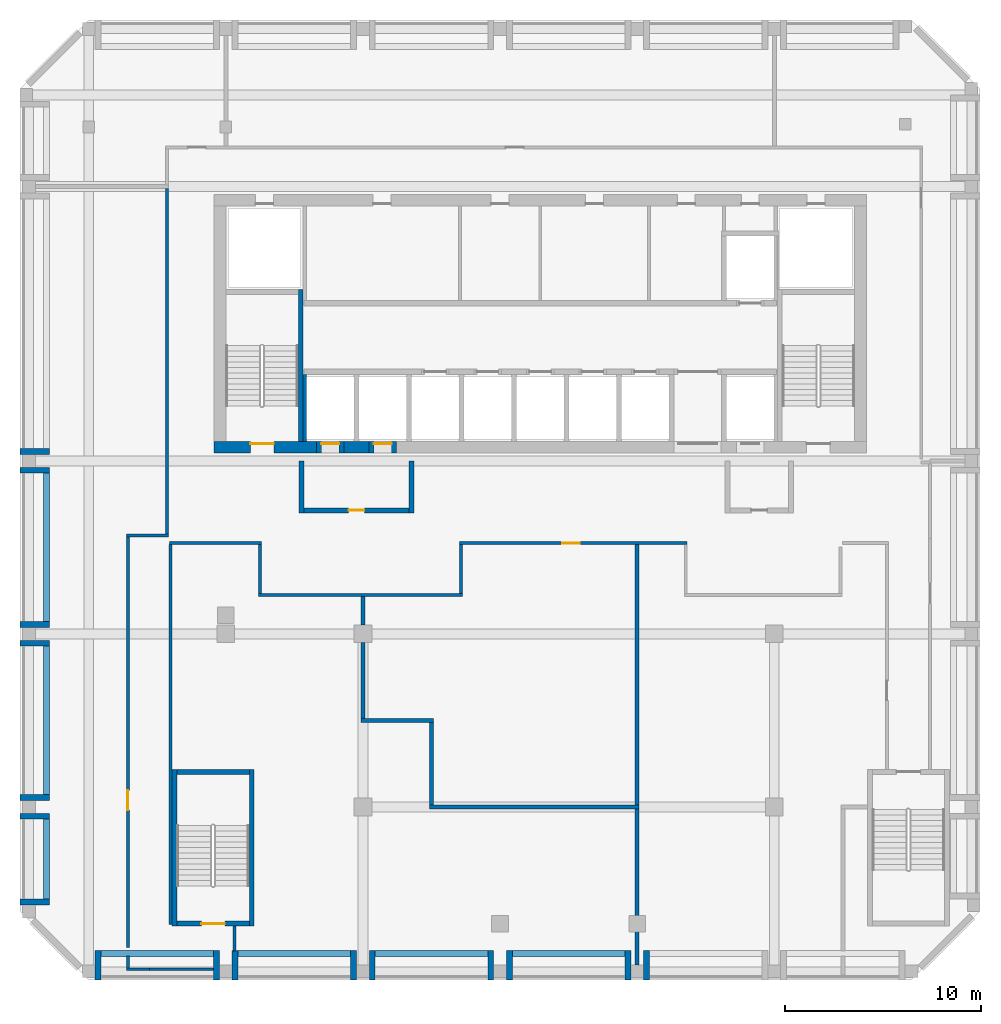
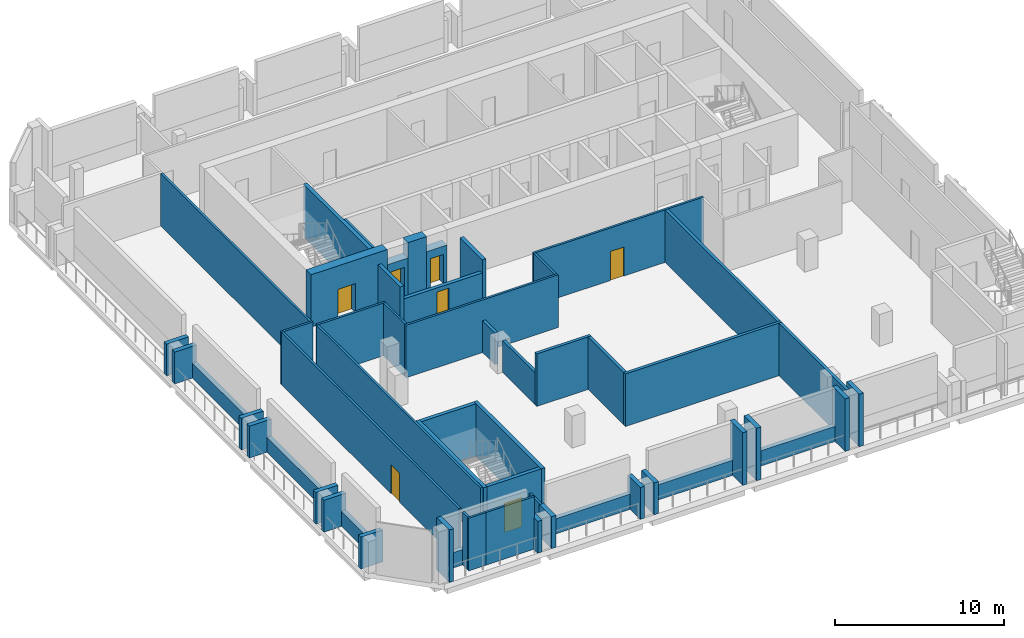
# One storey, part 2 of 7: 56 walls, 7 doors, 7 openings.
"""IFC4 building model written with IfcOpenShell, lengths in metres."""

from ifc_helpers import new_model, si_unit, direction, frame, frame_2d, origin, place, context, subcontext, project, spatial, rectangle, extrude, source, transform, mapped, material, layer, layer_set, type_object, element, fill, save


model = new_model("IFC4")

# Units and contexts
model_context = context("Model", 3, precision=1e-05, world=origin(), true_north=direction((0.0, 1.0)))
body_context = subcontext(model_context, "Body", "Model", "MODEL_VIEW")
ifc_project = project(units=[si_unit("LENGTHUNIT", "METRE"), si_unit("AREAUNIT", "SQUARE_METRE"), si_unit("VOLUMEUNIT", "CUBIC_METRE"), si_unit("PLANEANGLEUNIT", "RADIAN"), si_unit("MASSUNIT", "GRAM", prefix="KILO")], contexts=[model_context])

# Site, building, storey
site_placement = place(None, origin())
site = spatial("IfcSite", under=ifc_project, at=site_placement, CompositionType="ELEMENT")
building_placement = place(site_placement, origin())
building = spatial("IfcBuilding", under=site, at=building_placement, Name="Kilnfold Tower and Market Hall", CompositionType="ELEMENT")
storey_placement = place(building_placement, frame((0.0, 0.0, 290.800048828125)))
storey = spatial("IfcBuildingStorey", under=building, at=storey_placement, Name="L72 Plant Transfer Level", CompositionType="ELEMENT", Elevation=290.800048828125)

# Wall, opening, door
ifc_material_1 = material(Name="Gypsum board on steel studs", Category="steel")
ifc_layer_1 = layer(ifc_material_1, 0.14990234375)
ifc_layer_set_1 = layer_set([ifc_layer_1], Name="Gypsum board on steel studs")
wall_type_1 = type_object("IfcWallType", Name="WALL CORRIDOR 150", PredefinedType="PARTITIONING", material=ifc_layer_set_1)
wall_1_placement = place(storey_placement, frame((-20.0, 4.125, 0.0), z_axis=(0.0, 0.0, 1.0), x_axis=(0.0, -1.0, 0.0)))
wall_1 = element("IfcWall", 1, at=wall_1_placement, inside=storey, type_object=wall_type_1, Name="Partition LY44.1", PredefinedType="PARTITIONING", context=body_context, shape_type="SweptSolid", body=[
    extrude(rectangle(XDim=20.972900390625, YDim=0.14990234375, at=frame_2d((10.486328125, 0.0))), origin(), (0.0, 0.0, 1.0), 3.800048828125),
])
opening_1_placement = place(wall_1_placement, frame((12.947998046875, 0.0, 0.0)))
opening_1 = element("IfcOpeningElement", 2, at=opening_1_placement, cuts=wall_1, Name="Opening D4", PredefinedType="OPENING", context=body_context, shape_type="SweptSolid", body=[
    extrude(rectangle(XDim=1.0, YDim=2.10009765625, at=frame_2d((0.5, 1.050048828125))), frame((0.0, 0.0849609375, 0.0), z_axis=(0.0, -1.0, 0.0), x_axis=(1.0, 0.0, 0.0)), (0.0, 0.0, 1.0), 0.169921875),
])
ifc_material_2 = material(Name="Timber veneer door leaf in steel frame", Category="steel")
door_type_1 = type_object("IfcDoorType", Name="DOOR SERVICE 1000 X2100", OperationType="NOTDEFINED", PredefinedType="DOOR", material=ifc_material_2)
door_1_placement = place(opening_1_placement, origin())
door_1 = element("IfcDoor", 3, at=door_1_placement, inside=storey, type_object=door_type_1, Name="Door D4", OperationType="SINGLE_SWING_RIGHT", OverallHeight=2.10009765625, OverallWidth=1.0, PredefinedType="DOOR", context=body_context, shape_type="SweptSolid", body=[
    extrude(rectangle(XDim=1.0, YDim=2.10009765625, at=frame_2d((0.5, 1.050048828125))), frame((0.0, 0.02490234375, 0.0), z_axis=(0.0, -1.0, 0.0), x_axis=(1.0, 0.0, 0.0)), (0.0, 0.0, 1.0), 0.050048828125),
])
fill(opening_1, door_1)

# Walls
wall_2_placement = place(storey_placement, frame((-17.925048828125, 4.199951171875, 0.0), z_axis=(0.0, 0.0, 1.0), x_axis=(-1.0, 0.0, 0.0)))
element("IfcWall", 4, at=wall_2_placement, inside=storey, type_object=wall_type_1, Name="Partition LY44.2", PredefinedType="PARTITIONING", context=body_context, shape_type="SweptSolid", body=[
    extrude(rectangle(XDim=2.14990234375, YDim=0.14990234375, at=frame_2d((1.074951171875, 0.0))), origin(), (0.0, 0.0, 1.0), 3.800048828125),
])
wall_3_placement = place(storey_placement, frame((-18.0, 4.27490234375, 0.0), z_axis=(0.0, 0.0, 1.0), x_axis=(0.0, 1.0, 0.0)))
element("IfcWall", 5, at=wall_3_placement, inside=storey, type_object=wall_type_1, Name="Partition LY44.3", PredefinedType="PARTITIONING", context=body_context, shape_type="SweptSolid", body=[
    extrude(rectangle(XDim=17.635009765625, YDim=0.14990234375, at=frame_2d((8.8173828125, 0.0))), origin(), (0.0, 0.0, 1.0), 3.800048828125),
])
wall_4_placement = place(storey_placement, frame((-13.3349609375, 1.14990234375, 0.0), z_axis=(0.0, 0.0, 1.0), x_axis=(1.0, 0.0, 0.0)))
element("IfcWall", 6, at=wall_4_placement, inside=storey, type_object=wall_type_1, Name="Partition LY44.4", PredefinedType="PARTITIONING", context=body_context, shape_type="SweptSolid", body=[
    extrude(rectangle(XDim=10.409912109375, YDim=0.14990234375, at=frame_2d((5.205078125, 0.0))), origin(), (0.0, 0.0, 1.0), 3.800048828125),
])
wall_5_placement = place(storey_placement, frame((-13.260009765625, 3.72509765625, 0.0), z_axis=(0.0, 0.0, 1.0), x_axis=(0.0, -1.0, 0.0)))
element("IfcWall", 7, at=wall_5_placement, inside=storey, type_object=wall_type_1, Name="Partition LY44.5", PredefinedType="PARTITIONING", context=body_context, shape_type="SweptSolid", body=[
    extrude(rectangle(XDim=2.5, YDim=0.14990234375, at=frame_2d((1.25, 0.0))), origin(), (0.0, 0.0, 1.0), 3.800048828125),
])
wall_6_placement = place(storey_placement, frame((-17.875, 3.800048828125, 0.0), z_axis=(0.0, 0.0, 1.0), x_axis=(1.0, 0.0, 0.0)))
element("IfcWall", 8, at=wall_6_placement, inside=storey, type_object=wall_type_1, Name="Partition LY44.6", PredefinedType="PARTITIONING", context=body_context, shape_type="SweptSolid", body=[
    extrude(rectangle(XDim=4.68994140625, YDim=0.14990234375, at=frame_2d((2.344970703125, 0.0))), origin(), (0.0, 0.0, 1.0), 3.800048828125),
])
wall_7_placement = place(storey_placement, frame((-17.830078125, -15.675048828125, 0.0), z_axis=(0.0, 0.0, 1.0), x_axis=(0.0, 1.0, 0.0)))
element("IfcWall", 9, at=wall_7_placement, inside=storey, type_object=wall_type_1, Name="Partition LY44.7", PredefinedType="PARTITIONING", context=body_context, shape_type="SweptSolid", body=[
    extrude(rectangle(XDim=19.400146484375, YDim=0.14990234375, at=frame_2d((9.7001953125, 0.0))), origin(), (0.0, 0.0, 1.0), 3.800048828125),
])
wall_8_placement = place(storey_placement, frame((-14.550048828125, -17.030029296875, 0.0), z_axis=(0.0, 0.0, 1.0), x_axis=(0.0, 1.0, 0.0)))
element("IfcWall", 10, at=wall_8_placement, inside=storey, type_object=wall_type_1, Name="Partition LY44.8", PredefinedType="PARTITIONING", context=body_context, shape_type="SweptSolid", body=[
    extrude(rectangle(XDim=1.280029296875, YDim=0.14990234375, at=frame_2d((0.64013671875, 0.0))), origin(), (0.0, 0.0, 1.0), 2.300048828125),
])
wall_9_placement = place(storey_placement, frame((-18.89794921875, -17.949951171875, 0.0), z_axis=(0.0, 0.0, 1.0), x_axis=(1.0, 0.0, 0.0)))
element("IfcWall", 11, at=wall_9_placement, inside=storey, type_object=wall_type_1, Name="Partition LY44.9", PredefinedType="PARTITIONING", context=body_context, shape_type="SweptSolid", body=[
    extrude(rectangle(XDim=3.302978515625, YDim=0.14990234375, at=frame_2d((1.6513671875, 0.0))), origin(), (0.0, 0.0, 1.0), 3.800048828125),
])
wall_10_placement = place(storey_placement, frame((-20.076904296875, -17.951904296875, 0.0), z_axis=(0.0, 0.0, 1.0), x_axis=(1.0, 0.0, 0.0)))
element("IfcWall", 12, at=wall_10_placement, inside=storey, type_object=wall_type_1, Name="Partition LY44.10", PredefinedType="PARTITIONING", context=body_context, shape_type="SweptSolid", body=[
    extrude(rectangle(XDim=1.178955078125, YDim=0.14990234375, at=frame_2d((0.58935546875, 0.0))), origin(), (0.0, 0.0, 1.0), 3.800048828125),
])
wall_11_placement = place(storey_placement, frame((-20.001953125, -17.27001953125, 0.0), z_axis=(0.0, 0.0, 1.0), x_axis=(0.0, -1.0, 0.0)))
element("IfcWall", 13, at=wall_11_placement, inside=storey, type_object=wall_type_1, Name="Partition LY44.11", PredefinedType="PARTITIONING", context=body_context, shape_type="SweptSolid", body=[
    extrude(rectangle(XDim=0.60693359375, YDim=0.14990234375, at=frame_2d((0.303466796875, 0.0))), origin(), (0.0, 0.0, 1.0), 3.800048828125),
])

# Wall, opening, door
wall_12_placement = place(storey_placement, frame((-3.074951171875, 3.800048828125, 0.0), z_axis=(0.0, 0.0, 1.0), x_axis=(1.0, 0.0, 0.0)))
wall_12 = element("IfcWall", 14, at=wall_12_placement, inside=storey, type_object=wall_type_1, Name="Partition LY44.12", PredefinedType="PARTITIONING", context=body_context, shape_type="SweptSolid", body=[
    extrude(rectangle(XDim=11.6298828125, YDim=0.14990234375, at=frame_2d((5.81494140625, 0.0))), origin(), (0.0, 0.0, 1.0), 3.800048828125),
])
opening_2_placement = place(wall_12_placement, frame((5.2548828125, 0.0, 0.0)))
opening_2 = element("IfcOpeningElement", 15, at=opening_2_placement, cuts=wall_12, Name="Opening D2", PredefinedType="OPENING", context=body_context, shape_type="SweptSolid", body=[
    extrude(rectangle(XDim=0.89990234375, YDim=2.10009765625, at=frame_2d((0.449951171875, 1.050048828125))), frame((0.0, 0.0849609375, 0.0), z_axis=(0.0, -1.0, 0.0), x_axis=(1.0, 0.0, 0.0)), (0.0, 0.0, 1.0), 0.169921875),
])
ifc_material_3 = material(Name="Timber veneer door leaf in steel frame", Category="steel")
door_type_2 = type_object("IfcDoorType", Name="DOOR ROOM 900 X2100", OperationType="NOTDEFINED", PredefinedType="DOOR", material=ifc_material_3)
door_2_placement = place(opening_2_placement, origin())
door_2 = element("IfcDoor", 16, at=door_2_placement, inside=storey, type_object=door_type_2, Name="Door D2", OperationType="SINGLE_SWING_LEFT", OverallHeight=2.10009765625, OverallWidth=0.89990234375, PredefinedType="DOOR", context=body_context, shape_type="SweptSolid", body=[
    extrude(rectangle(XDim=0.89990234375, YDim=2.10009765625, at=frame_2d((0.449951171875, 1.050048828125))), frame((0.0, 0.02490234375, 0.0), z_axis=(0.0, -1.0, 0.0), x_axis=(1.0, 0.0, 0.0)), (0.0, 0.0, 1.0), 0.050048828125),
])
fill(opening_2, door_2)

# Walls
wall_13_placement = place(storey_placement, frame((-3.0, 1.22509765625, 0.0), z_axis=(0.0, 0.0, 1.0), x_axis=(0.0, 1.0, 0.0)))
element("IfcWall", 17, at=wall_13_placement, inside=storey, type_object=wall_type_1, Name="Partition LY44.13", PredefinedType="PARTITIONING", context=body_context, shape_type="SweptSolid", body=[
    extrude(rectangle(XDim=2.5, YDim=0.14990234375, at=frame_2d((1.25, 0.0))), origin(), (0.0, 0.0, 1.0), 3.800048828125),
])
ifc_material_4 = material(Name="Gypsum board on steel studs", Category="steel")
ifc_layer_2 = layer(ifc_material_4, 0.199951171875)
ifc_layer_set_2 = layer_set([ifc_layer_2], Name="Gypsum board on steel studs")
wall_type_2 = type_object("IfcWallType", Name="WALL PARTY 200", PredefinedType="PARTITIONING", material=ifc_layer_set_2)
wall_14_placement = place(storey_placement, frame((-8.0, -0.383056640625, 0.0), z_axis=(0.0, 0.0, 1.0), x_axis=(0.0, 1.0, 0.0)))
element("IfcWall", 18, at=wall_14_placement, inside=storey, type_object=wall_type_2, Name="Partition LY44.25", PredefinedType="PARTITIONING", context=body_context, shape_type="SweptSolid", body=[
    extrude(rectangle(XDim=1.4560546875, YDim=0.199951171875, at=frame_2d((0.72802734375, 0.0))), origin(), (0.0, 0.0, 1.0), 2.300048828125),
])
wall_15_placement = place(storey_placement, frame((-8.0, -5.14990234375, 0.0), z_axis=(0.0, 0.0, 1.0), x_axis=(0.0, 1.0, 0.0)))
element("IfcWall", 19, at=wall_15_placement, inside=storey, type_object=wall_type_2, Name="Partition LY44.26", PredefinedType="PARTITIONING", context=body_context, shape_type="SweptSolid", body=[
    extrude(rectangle(XDim=3.866943359375, YDim=0.199951171875, at=frame_2d((1.93359375, 0.0))), origin(), (0.0, 0.0, 1.0), 2.300048828125),
])
wall_16_placement = place(storey_placement, frame((-4.39990234375, -5.25, 0.0), z_axis=(0.0, 0.0, 1.0), x_axis=(-1.0, 0.0, 0.0)))
element("IfcWall", 20, at=wall_16_placement, inside=storey, type_object=wall_type_2, Name="Partition LY44.27", PredefinedType="PARTITIONING", context=body_context, shape_type="SweptSolid", body=[
    extrude(rectangle(XDim=3.7001953125, YDim=0.199951171875, at=frame_2d((1.85009765625, 0.0))), origin(), (0.0, 0.0, 1.0), 3.800048828125),
])
wall_17_placement = place(storey_placement, frame((-4.5, -9.56689453125, 0.0), z_axis=(0.0, 0.0, 1.0), x_axis=(0.0, 1.0, 0.0)))
element("IfcWall", 21, at=wall_17_placement, inside=storey, type_object=wall_type_2, Name="Partition LY44.28", PredefinedType="PARTITIONING", context=body_context, shape_type="SweptSolid", body=[
    extrude(rectangle(XDim=4.216796875, YDim=0.199951171875, at=frame_2d((2.1083984375, 0.0))), origin(), (0.0, 0.0, 1.0), 3.800048828125),
])
wall_18_placement = place(storey_placement, frame((-4.60009765625, -9.6669921875, 0.0), z_axis=(0.0, 0.0, 1.0), x_axis=(1.0, 0.0, 0.0)))
element("IfcWall", 22, at=wall_18_placement, inside=storey, type_object=wall_type_2, Name="Partition LY44.29", PredefinedType="PARTITIONING", context=body_context, shape_type="SweptSolid", body=[
    extrude(rectangle(XDim=10.7001953125, YDim=0.199951171875, at=frame_2d((5.35009765625, 0.0))), origin(), (0.0, 0.0, 1.0), 3.800048828125),
])
wall_19_placement = place(storey_placement, frame((6.0, -17.72509765625, 0.0), z_axis=(0.0, 0.0, 1.0), x_axis=(0.0, 1.0, 0.0)))
element("IfcWall", 23, at=wall_19_placement, inside=storey, type_object=wall_type_2, Name="Partition LY44.30", PredefinedType="PARTITIONING", context=body_context, shape_type="SweptSolid", body=[
    extrude(rectangle(XDim=7.9580078125, YDim=0.199951171875, at=frame_2d((3.97900390625, 0.0))), origin(), (0.0, 0.0, 1.0), 3.800048828125),
])
wall_20_placement = place(storey_placement, frame((6.0, -9.56689453125, 0.0), z_axis=(0.0, 0.0, 1.0), x_axis=(0.0, 1.0, 0.0)))
element("IfcWall", 24, at=wall_20_placement, inside=storey, type_object=wall_type_2, Name="Partition LY44.32", PredefinedType="PARTITIONING", context=body_context, shape_type="SweptSolid", body=[
    extrude(rectangle(XDim=13.289794921875, YDim=0.199951171875, at=frame_2d((6.64501953125, 0.0))), origin(), (0.0, 0.0, 1.0), 3.800048828125),
])
ifc_material_5 = material(Name="Concrete C50", Category="concrete")
ifc_layer_3 = layer(ifc_material_5, 0.25)
ifc_layer_set_3 = layer_set([ifc_layer_3], Name="Concrete C50")
wall_type_3 = type_object("IfcWallType", Name="CORE WALL 250 C50", PredefinedType="SHEAR", material=ifc_layer_set_3)
shared_shape_1 = source(origin(), body_context, "Body", "SweptSolid", [
    extrude(rectangle(XDim=7.75, YDim=0.25, at=frame_2d((3.875, 0.0))), origin(), (0.0, 0.0, 1.0), 3.800048828125),
])
wall_21_placement = place(storey_placement, frame((-11.175048828125, 9.0, 0.0), z_axis=(0.0, 0.0, 1.0), x_axis=(0.0, 1.0, 0.0)))
element("IfcWall", 25, at=wall_21_placement, inside=storey, type_object=wall_type_3, Name="Stair enclosure ST1", PredefinedType="SHEAR", context=body_context, shape_type="MappedRepresentation", body=[
    mapped(shared_shape_1, transform((0.0, 0.0, 0.0))),
])

# Wall, opening, door
shared_shape_2 = source(origin(), body_context, "Body", "SweptSolid", [
    extrude(rectangle(XDim=3.699951171875, YDim=0.25, at=frame_2d((1.85009765625, 0.0))), origin(), (0.0, 0.0, 1.0), 3.800048828125),
])
wall_22_placement = place(storey_placement, frame((-17.5, -15.625, 0.0), z_axis=(0.0, 0.0, 1.0), x_axis=(1.0, 0.0, 0.0)))
wall_22 = element("IfcWall", 26, at=wall_22_placement, inside=storey, type_object=wall_type_3, Name="Stair enclosure ST3", PredefinedType="SHEAR", context=body_context, shape_type="MappedRepresentation", body=[
    mapped(shared_shape_2, transform((0.0, 0.0, 0.0))),
])
opening_3_placement = place(wall_22_placement, frame((1.25, 0.0, 0.0)))
opening_3 = element("IfcOpeningElement", 27, at=opening_3_placement, cuts=wall_22, Name="Opening SD1", PredefinedType="OPENING", context=body_context, shape_type="SweptSolid", body=[
    extrude(rectangle(XDim=1.199951171875, YDim=2.10009765625, at=frame_2d((0.60009765625, 1.050048828125))), frame((0.0, 0.135009765625, 0.0), z_axis=(0.0, -1.0, 0.0), x_axis=(1.0, 0.0, 0.0)), (0.0, 0.0, 1.0), 0.27001953125),
])
ifc_material_6 = material(Name="Steel door set with fire-resisting leaf", Category="steel")
door_type_3 = type_object("IfcDoorType", Name="STAIR FLOOR DOOR 1200X2100", OperationType="NOTDEFINED", PredefinedType="DOOR", material=ifc_material_6)
door_3_placement = place(opening_3_placement, origin())
door_3 = element("IfcDoor", 28, at=door_3_placement, inside=storey, type_object=door_type_3, Name="Exit stair ST3 door", OperationType="DOUBLE_DOOR_SINGLE_SWING", OverallHeight=2.10009765625, OverallWidth=1.199951171875, PredefinedType="DOOR", context=body_context, shape_type="SweptSolid", body=[
    extrude(rectangle(XDim=1.199951171875, YDim=2.10009765625, at=frame_2d((0.60009765625, 1.050048828125))), frame((0.0, 0.02490234375, 0.0), z_axis=(0.0, -1.0, 0.0), x_axis=(1.0, 0.0, 0.0)), (0.0, 0.0, 1.0), 0.050048828125),
])
fill(opening_3, door_3)

# Walls
wall_23_placement = place(storey_placement, frame((-17.5, -7.875, 0.0), z_axis=(0.0, 0.0, 1.0), x_axis=(1.0, 0.0, 0.0)))
element("IfcWall", 29, at=wall_23_placement, inside=storey, type_object=wall_type_3, Name="Stair enclosure ST3", PredefinedType="SHEAR", context=body_context, shape_type="MappedRepresentation", body=[
    mapped(shared_shape_2, transform((0.0, 0.0, 0.0))),
])
shared_shape_3 = source(origin(), body_context, "Body", "SweptSolid", [
    extrude(rectangle(XDim=8.0, YDim=0.25, at=frame_2d((4.0, 0.0))), origin(), (0.0, 0.0, 1.0), 3.800048828125),
])
for number, where, z_axis, x_axis, name in (
    (30, (-17.625, -15.75, 0.0), (0.0, 0.0, 1.0), (0.0, 1.0, 0.0), "Stair enclosure ST3"),
    (31, (-13.675048828125, -15.75, 0.0), (0.0, 0.0, 1.0), (0.0, 1.0, 0.0), "Stair enclosure ST3"),
):
    element("IfcWall", number, at=place(storey_placement, frame(where, z_axis=z_axis, x_axis=x_axis)), inside=storey, type_object=wall_type_3, Name=name, PredefinedType="SHEAR", context=body_context, shape_type="MappedRepresentation", body=[
        mapped(shared_shape_3, transform((0.0, 0.0, 0.0))),
    ])

# Wall, opening, door
ifc_material_7 = material(Name="Concrete C50", Category="concrete")
ifc_layer_4 = layer(ifc_material_7, 0.60009765625)
ifc_layer_set_4 = layer_set([ifc_layer_4], Name="Concrete C50")
wall_type_4 = type_object("IfcWallType", Name="CORE WALL 600 C50", PredefinedType="SHEAR", material=ifc_layer_set_4)
shared_shape_4 = source(origin(), body_context, "Body", "SweptSolid", [
    extrude(rectangle(XDim=5.22998046875, YDim=0.60009765625, at=frame_2d((2.614990234375, 0.0))), origin(), (0.0, 0.0, 1.0), 3.800048828125),
])
wall_24_placement = place(storey_placement, frame((-15.60009765625, 8.699951171875, 0.0), z_axis=(0.0, 0.0, 1.0), x_axis=(1.0, 0.0, 0.0)))
wall_24 = element("IfcWall", 32, at=wall_24_placement, inside=storey, type_object=wall_type_4, Name="Core outer wall south", PredefinedType="SHEAR", context=body_context, shape_type="MappedRepresentation", body=[
    mapped(shared_shape_4, transform((0.0, 0.0, 0.0))),
])
opening_4_placement = place(wall_24_placement, frame((1.85009765625, 0.0, 0.0)))
opening_4 = element("IfcOpeningElement", 33, at=opening_4_placement, cuts=wall_24, Name="Opening SD1", PredefinedType="OPENING", context=body_context, shape_type="SweptSolid", body=[
    extrude(rectangle(XDim=1.199951171875, YDim=2.10009765625, at=frame_2d((0.60009765625, 1.050048828125))), frame((0.0, 0.31005859375, 0.0), z_axis=(0.0, -1.0, 0.0), x_axis=(1.0, 0.0, 0.0)), (0.0, 0.0, 1.0), 0.6201171875),
])
door_4_placement = place(opening_4_placement, origin())
door_4 = element("IfcDoor", 34, at=door_4_placement, inside=storey, type_object=door_type_3, Name="Exit stair ST1 door", OperationType="DOUBLE_DOOR_SINGLE_SWING", OverallHeight=2.10009765625, OverallWidth=1.199951171875, PredefinedType="DOOR", context=body_context, shape_type="SweptSolid", body=[
    extrude(rectangle(XDim=1.199951171875, YDim=2.10009765625, at=frame_2d((0.60009765625, 1.050048828125))), frame((0.0, 0.205078125, 0.0), z_axis=(0.0, -1.0, 0.0), x_axis=(1.0, 0.0, 0.0)), (0.0, 0.0, 1.0), 0.050048828125),
])
fill(opening_4, door_4)

# Walls
shared_shape_5 = source(origin(), body_context, "Body", "SweptSolid", [
    extrude(rectangle(XDim=1.280029296875, YDim=0.60009765625, at=frame_2d((0.64013671875, 0.0))), origin(), (0.0, 0.0, 1.0), 3.800048828125),
])
wall_25_placement = place(storey_placement, frame((-8.969970703125, 8.699951171875, 0.0), z_axis=(0.0, 0.0, 1.0), x_axis=(1.0, 0.0, 0.0)))
element("IfcWall", 35, at=wall_25_placement, inside=storey, type_object=wall_type_4, Name="Core outer wall south", PredefinedType="SHEAR", context=body_context, shape_type="MappedRepresentation", body=[
    mapped(shared_shape_5, transform((0.0, 0.0, 0.0))),
])
ifc_material_8 = material(Name="Precast concrete C50/60", Category="concrete")
ifc_layer_5 = layer(ifc_material_8, 0.300048828125)
ifc_layer_set_5 = layer_set([ifc_layer_5], Name="Precast concrete C50/60")
wall_type_5 = type_object("IfcWallType", Name="PRECAST WALL 300", PredefinedType="SOLIDWALL", material=ifc_layer_set_5)
shared_shape_6 = source(origin(), body_context, "Body", "SweptSolid", [
    extrude(rectangle(XDim=1.5, YDim=0.300048828125, at=frame_2d((0.75, 0.0))), origin(), (0.0, 0.0, 1.0), 2.300048828125),
])
for number, where, z_axis, x_axis, name in (
    (36, (-15.47509765625, -18.5, 0.0), (0.0, 0.0, 1.0), (0.0, 1.0, 0.0), "Plant wall L72 S"),
    (37, (-14.52490234375, -18.5, 0.0), (0.0, 0.0, 1.0), (0.0, 1.0, 0.0), "Plant wall L72 S"),
    (38, (-8.47509765625, -18.5, 0.0), (0.0, 0.0, 1.0), (0.0, 1.0, 0.0), "Plant wall L72 S"),
    (39, (-7.52490234375, -18.5, 0.0), (0.0, 0.0, 1.0), (0.0, 1.0, 0.0), "Plant wall L72 S"),
    (40, (-25.5, 8.47509765625, 0.0), (0.0, 0.0, 1.0), (1.0, 0.0, 0.0), "Plant wall L72 W"),
    (41, (-25.5, 7.52490234375, 0.0), (0.0, 0.0, 1.0), (1.0, 0.0, 0.0), "Plant wall L72 W"),
    (42, (-25.5, -0.3583984375, 0.0), (0.0, 0.0, 1.0), (1.0, 0.0, 0.0), "Plant wall L72 W"),
    (43, (-25.5, -1.308349609375, 0.0), (0.0, 0.0, 1.0), (1.0, 0.0, 0.0), "Plant wall L72 W"),
    (44, (-25.5, -9.191650390625, 0.0), (0.0, 0.0, 1.0), (1.0, 0.0, 0.0), "Plant wall L72 W"),
    (45, (-25.5, -10.1416015625, 0.0), (0.0, 0.0, 1.0), (1.0, 0.0, 0.0), "Plant wall L72 W"),
    (46, (-25.5, -14.52490234375, 0.0), (0.0, 0.0, 1.0), (1.0, 0.0, 0.0), "Plant wall L72 W"),
):
    element("IfcWall", number, at=place(storey_placement, frame(where, z_axis=z_axis, x_axis=x_axis)), inside=storey, type_object=wall_type_5, Name=name, PredefinedType="SOLIDWALL", context=body_context, shape_type="MappedRepresentation", body=[
        mapped(shared_shape_6, transform((0.0, 0.0, 0.0))),
    ])
shared_shape_7 = source(origin(), body_context, "Body", "SweptSolid", [
    extrude(rectangle(XDim=1.5, YDim=0.300048828125, at=frame_2d((0.75, 0.0))), origin(), (0.0, 0.0, 1.0), 3.800048828125),
])
for number, where, z_axis, x_axis, name in (
    (47, (-21.52490234375, -18.5, 0.0), (0.0, 0.0, 1.0), (0.0, 1.0, 0.0), "Plant wall L72 S"),
    (48, (-1.47509765625, -18.5, 0.0), (0.0, 0.0, 1.0), (0.0, 1.0, 0.0), "Plant wall L72 S"),
    (49, (-0.52490234375, -18.5, 0.0), (0.0, 0.0, 1.0), (0.0, 1.0, 0.0), "Plant wall L72 S"),
    (50, (5.52490234375, -18.5, 0.0), (0.0, 0.0, 1.0), (0.0, 1.0, 0.0), "Plant wall L72 S"),
    (51, (6.47509765625, -18.5, 0.0), (0.0, 0.0, 1.0), (0.0, 1.0, 0.0), "Plant wall L72 S"),
):
    element("IfcWall", number, at=place(storey_placement, frame(where, z_axis=z_axis, x_axis=x_axis)), inside=storey, type_object=wall_type_5, Name=name, PredefinedType="SOLIDWALL", context=body_context, shape_type="MappedRepresentation", body=[
        mapped(shared_shape_7, transform((0.0, 0.0, 0.0))),
    ])
shared_shape_8 = source(origin(), body_context, "Body", "SweptSolid", [
    extrude(rectangle(XDim=5.75, YDim=0.300048828125, at=frame_2d((2.875, 0.0))), origin(), (0.0, 0.0, 1.0), 1.099853515625),
])
for number, where, z_axis, x_axis, name in (
    (52, (-21.375, -17.14990234375, 0.0), (0.0, 0.0, 1.0), (1.0, 0.0, 0.0), "Knee wall L72 S"),
    (53, (-14.375, -17.14990234375, 0.0), (0.0, 0.0, 1.0), (1.0, 0.0, 0.0), "Knee wall L72 S"),
    (54, (-7.375, -17.14990234375, 0.0), (0.0, 0.0, 1.0), (1.0, 0.0, 0.0), "Knee wall L72 S"),
    (55, (-0.375, -17.14990234375, 0.0), (0.0, 0.0, 1.0), (1.0, 0.0, 0.0), "Knee wall L72 S"),
):
    element("IfcWall", number, at=place(storey_placement, frame(where, z_axis=z_axis, x_axis=x_axis)), inside=storey, type_object=wall_type_5, Name=name, PredefinedType="SOLIDWALL", context=body_context, shape_type="MappedRepresentation", body=[
        mapped(shared_shape_8, transform((0.0, 0.0, 0.0))),
    ])
shared_shape_9 = source(origin(), body_context, "Body", "SweptSolid", [
    extrude(rectangle(XDim=7.58349609375, YDim=0.300048828125, at=frame_2d((3.791748046875, 0.0))), origin(), (0.0, 0.0, 1.0), 1.099853515625),
])
wall_26_placement = place(storey_placement, frame((-24.14990234375, -1.458251953125, 0.0), z_axis=(0.0, 0.0, 1.0), x_axis=(0.0, -1.0, 0.0)))
element("IfcWall", 56, at=wall_26_placement, inside=storey, type_object=wall_type_5, Name="Knee wall L72 W", PredefinedType="SOLIDWALL", context=body_context, shape_type="MappedRepresentation", body=[
    mapped(shared_shape_9, transform((0.0, 0.0, 0.0))),
])
shared_shape_10 = source(origin(), body_context, "Body", "SweptSolid", [
    extrude(rectangle(XDim=7.583251953125, YDim=0.300048828125, at=frame_2d((3.79150390625, 0.0))), origin(), (0.0, 0.0, 1.0), 1.099853515625),
])
wall_27_placement = place(storey_placement, frame((-24.14990234375, 7.375, 0.0), z_axis=(0.0, 0.0, 1.0), x_axis=(0.0, -1.0, 0.0)))
element("IfcWall", 57, at=wall_27_placement, inside=storey, type_object=wall_type_5, Name="Knee wall L72 W", PredefinedType="SOLIDWALL", context=body_context, shape_type="MappedRepresentation", body=[
    mapped(shared_shape_10, transform((0.0, 0.0, 0.0))),
])
shared_shape_11 = source(origin(), body_context, "Body", "SweptSolid", [
    extrude(rectangle(XDim=4.083251953125, YDim=0.300048828125, at=frame_2d((2.04150390625, 0.0))), origin(), (0.0, 0.0, 1.0), 1.099853515625),
])
wall_28_placement = place(storey_placement, frame((-24.14990234375, -10.291748046875, 0.0), z_axis=(0.0, 0.0, 1.0), x_axis=(0.0, -1.0, 0.0)))
element("IfcWall", 58, at=wall_28_placement, inside=storey, type_object=wall_type_5, Name="Knee wall L72 W", PredefinedType="SOLIDWALL", context=body_context, shape_type="MappedRepresentation", body=[
    mapped(shared_shape_11, transform((0.0, 0.0, 0.0))),
])
ifc_material_9 = material(Name="Gypsum shaft wall system")
ifc_layer_6 = layer(ifc_material_9, 0.1650390625)
ifc_layer_set_6 = layer_set([ifc_layer_6], Name="Gypsum shaft wall system")
wall_type_6 = type_object("IfcWallType", Name="SHAFT WALL 165", PredefinedType="PARTITIONING", material=ifc_layer_set_6)
shared_shape_12 = source(origin(), body_context, "Body", "SweptSolid", [
    extrude(rectangle(XDim=3.39990234375, YDim=0.1650390625, at=frame_2d((1.699951171875, 0.0))), origin(), (0.0, 0.0, 1.0), 3.800048828125),
])
wall_29_placement = place(storey_placement, frame((-10.967529296875, 9.0, 0.0), z_axis=(0.0, 0.0, 1.0), x_axis=(0.0, 1.0, 0.0)))
element("IfcWall", 59, at=wall_29_placement, inside=storey, type_object=wall_type_6, Name="Lift shaft wall", PredefinedType="PARTITIONING", context=body_context, shape_type="MappedRepresentation", body=[
    mapped(shared_shape_12, transform((0.0, 0.0, 0.0))),
])

# Wall, opening, door
ifc_material_10 = material(Name="Gypsum shaft wall system")
ifc_layer_7 = layer(ifc_material_10, 0.25)
ifc_layer_set_7 = layer_set([ifc_layer_7], Name="Gypsum shaft wall system")
wall_type_7 = type_object("IfcWallType", Name="LOBBY WALL 250", PredefinedType="PARTITIONING", material=ifc_layer_set_7)
shared_shape_13 = source(origin(), body_context, "Body", "SweptSolid", [
    extrude(rectangle(XDim=5.360107421875, YDim=0.25, at=frame_2d((2.68017578125, 0.0))), origin(), (0.0, 0.0, 1.0), 2.300048828125),
])
wall_30_placement = place(storey_placement, frame((-11.010009765625, 5.47509765625, 0.0), z_axis=(0.0, 0.0, 1.0), x_axis=(1.0, 0.0, 0.0)))
wall_30 = element("IfcWall", 60, at=wall_30_placement, inside=storey, type_object=wall_type_7, Name="Firefighting lobby wall", PredefinedType="PARTITIONING", context=body_context, shape_type="MappedRepresentation", body=[
    mapped(shared_shape_13, transform((0.0, 0.0, 0.0))),
])
opening_5_placement = place(wall_30_placement, frame((2.280029296875, 0.0, 0.0)))
opening_5 = element("IfcOpeningElement", 61, at=opening_5_placement, cuts=wall_30, Name="Opening VD1", PredefinedType="OPENING", context=body_context, shape_type="SweptSolid", body=[
    extrude(rectangle(XDim=0.800048828125, YDim=2.0, at=frame_2d((0.39990234375, 1.0))), frame((0.0, 0.135009765625, 0.0), z_axis=(0.0, -1.0, 0.0), x_axis=(1.0, 0.0, 0.0)), (0.0, 0.0, 1.0), 0.27001953125),
])
ifc_material_11 = material(Name="Steel door set with fire-resisting leaf", Category="steel")
door_type_4 = type_object("IfcDoorType", Name="FIREFIGHTING LOBBY DOOR 800X2000", OperationType="NOTDEFINED", PredefinedType="DOOR", material=ifc_material_11)
door_5_placement = place(opening_5_placement, origin())
door_5 = element("IfcDoor", 62, at=door_5_placement, inside=storey, type_object=door_type_4, Name="Firefighting lobby door", OperationType="SINGLE_SWING_LEFT", OverallHeight=2.0, OverallWidth=0.800048828125, PredefinedType="DOOR", context=body_context, shape_type="SweptSolid", body=[
    extrude(rectangle(XDim=0.800048828125, YDim=2.0, at=frame_2d((0.39990234375, 1.0))), frame((0.0, 0.02490234375, 0.0), z_axis=(0.0, -1.0, 0.0), x_axis=(1.0, 0.0, 0.0)), (0.0, 0.0, 1.0), 0.050048828125),
])
fill(opening_5, door_5)

ifc_material_12 = material(Name="Gypsum shaft wall system")
ifc_layer_8 = layer(ifc_material_12, 0.60009765625)
ifc_layer_set_8 = layer_set([ifc_layer_8], Name="Gypsum shaft wall system")
wall_type_8 = type_object("IfcWallType", Name="LOBBY WALL 600", PredefinedType="PARTITIONING", material=ifc_layer_set_8)
shared_shape_14 = source(origin(), body_context, "Body", "SweptSolid", [
    extrude(rectangle(XDim=1.400146484375, YDim=0.60009765625, at=frame_2d((0.7001953125, 0.0))), origin(), (0.0, 0.0, 1.0), 2.699951171875),
])
wall_31_placement = place(storey_placement, frame((-10.3701171875, 8.699951171875, 0.0), z_axis=(0.0, 0.0, 1.0), x_axis=(1.0, 0.0, 0.0)))
wall_31 = element("IfcWall", 63, at=wall_31_placement, inside=storey, type_object=wall_type_8, Name="Core wall infill", PredefinedType="PARTITIONING", context=body_context, shape_type="MappedRepresentation", body=[
    mapped(shared_shape_14, transform((0.0, 0.0, 0.0))),
])
opening_6_placement = place(wall_31_placement, frame((0.25, 0.0, 0.0)))
opening_6 = element("IfcOpeningElement", 64, at=opening_6_placement, cuts=wall_31, Name="Opening LD1", PredefinedType="OPENING", context=body_context, shape_type="SweptSolid", body=[
    extrude(rectangle(XDim=0.89990234375, YDim=2.10009765625, at=frame_2d((0.449951171875, 1.050048828125))), frame((0.0, 0.31005859375, 0.0), z_axis=(0.0, -1.0, 0.0), x_axis=(1.0, 0.0, 0.0)), (0.0, 0.0, 1.0), 0.6201171875),
])
ifc_material_13 = material(Name="Steel door set with fire-resisting leaf", Category="steel")
door_type_5 = type_object("IfcDoorType", Name="FIREFIGHTING LANDING DOOR 900X2100", OperationType="NOTDEFINED", PredefinedType="DOOR", material=ifc_material_13)
door_6_placement = place(opening_6_placement, origin())
door_6 = element("IfcDoor", 65, at=door_6_placement, inside=storey, type_object=door_type_5, Name="Landing door FF1", OperationType="SLIDING_TO_LEFT", OverallHeight=2.10009765625, OverallWidth=0.89990234375, PredefinedType="DOOR", context=body_context, shape_type="SweptSolid", body=[
    extrude(rectangle(XDim=0.89990234375, YDim=2.10009765625, at=frame_2d((0.449951171875, 1.050048828125))), frame((0.0, 0.205078125, 0.0), z_axis=(0.0, -1.0, 0.0), x_axis=(1.0, 0.0, 0.0)), (0.0, 0.0, 1.0), 0.050048828125),
])
fill(opening_6, door_6)

shared_shape_15 = source(origin(), body_context, "Body", "SweptSolid", [
    extrude(rectangle(XDim=1.39990234375, YDim=0.60009765625, at=frame_2d((0.699951171875, 0.0))), origin(), (0.0, 0.0, 1.0), 2.699951171875),
])
wall_32_placement = place(storey_placement, frame((-7.68994140625, 8.699951171875, 0.0), z_axis=(0.0, 0.0, 1.0), x_axis=(1.0, 0.0, 0.0)))
wall_32 = element("IfcWall", 66, at=wall_32_placement, inside=storey, type_object=wall_type_8, Name="Core wall infill", PredefinedType="PARTITIONING", context=body_context, shape_type="MappedRepresentation", body=[
    mapped(shared_shape_15, transform((0.0, 0.0, 0.0))),
])
opening_7_placement = place(wall_32_placement, frame((0.25, 0.0, 0.0)))
opening_7 = element("IfcOpeningElement", 67, at=opening_7_placement, cuts=wall_32, Name="Opening LD1", PredefinedType="OPENING", context=body_context, shape_type="SweptSolid", body=[
    extrude(rectangle(XDim=0.89990234375, YDim=2.10009765625, at=frame_2d((0.449951171875, 1.050048828125))), frame((0.0, 0.31005859375, 0.0), z_axis=(0.0, -1.0, 0.0), x_axis=(1.0, 0.0, 0.0)), (0.0, 0.0, 1.0), 0.6201171875),
])
door_7_placement = place(opening_7_placement, origin())
door_7 = element("IfcDoor", 68, at=door_7_placement, inside=storey, type_object=door_type_5, Name="Landing door FF2", OperationType="SLIDING_TO_RIGHT", OverallHeight=2.10009765625, OverallWidth=0.89990234375, PredefinedType="DOOR", context=body_context, shape_type="SweptSolid", body=[
    extrude(rectangle(XDim=0.89990234375, YDim=2.10009765625, at=frame_2d((0.449951171875, 1.050048828125))), frame((0.0, 0.205078125, 0.0), z_axis=(0.0, -1.0, 0.0), x_axis=(1.0, 0.0, 0.0)), (0.0, 0.0, 1.0), 0.050048828125),
])
fill(opening_7, door_7)

# Walls
shared_shape_16 = source(origin(), body_context, "Body", "SweptSolid", [
    extrude(rectangle(XDim=2.64990234375, YDim=0.25, at=frame_2d((1.324951171875, 0.0))), origin(), (0.0, 0.0, 1.0), 3.25),
])
for number, where, z_axis, x_axis, name in (
    (69, (-11.135009765625, 5.35009765625, 0.0), (0.0, 0.0, 1.0), (0.0, 1.0, 0.0), "Firefighting lobby wall"),
    (70, (-5.52490234375, 5.35009765625, 0.0), (0.0, 0.0, 1.0), (0.0, 1.0, 0.0), "Firefighting lobby wall"),
):
    element("IfcWall", number, at=place(storey_placement, frame(where, z_axis=z_axis, x_axis=x_axis)), inside=storey, type_object=wall_type_7, Name=name, PredefinedType="PARTITIONING", context=body_context, shape_type="MappedRepresentation", body=[
        mapped(shared_shape_16, transform((0.0, 0.0, 0.0))),
    ])

save(model, "model.ifc")
